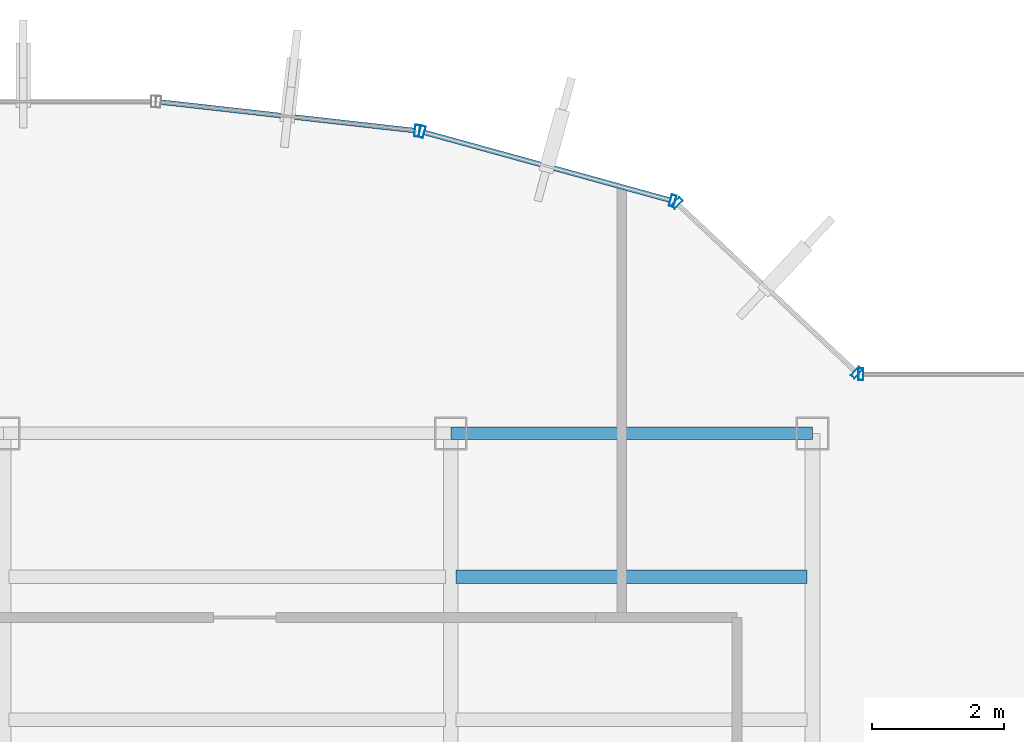
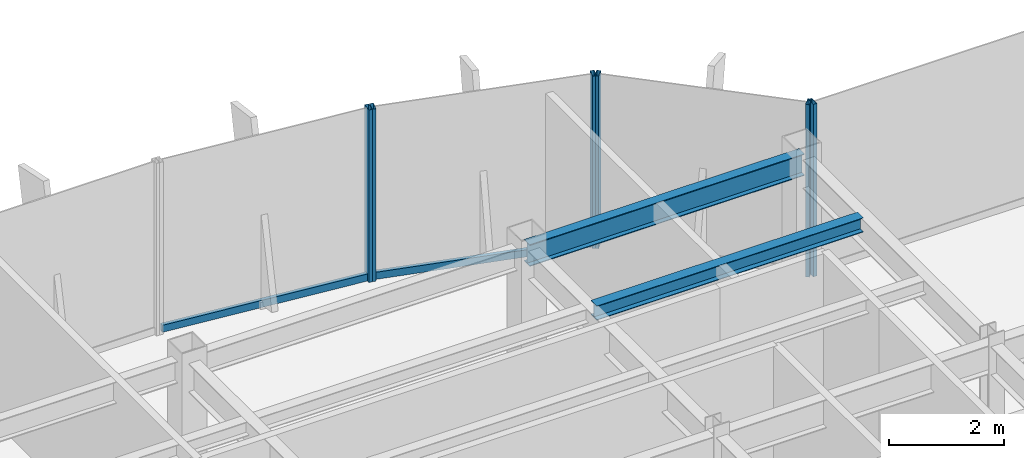
# One storey, part 14 of 22: 8 members, 2 beams, 4 elements without a shape of their own.
"""IFC4 building model written with IfcOpenShell, lengths in metres."""

from ifc_helpers import new_model, si_unit, derived_unit, direction, frame, origin, origin_2d, place, context, subcontext, project, spatial, hollow_rectangle, i_section, extrude, source, transform, mapped, material, material_profile, profile_set, type_object, element, aggregate, save


model = new_model("IFC4")

# Units and contexts
model_context = context("Model", 3, precision=1e-05, world=origin(), true_north=direction((0.0, 1.0)))
body_context = subcontext(model_context, "Body", "Model", "MODEL_VIEW")
ifc_project = project(units=[si_unit("LENGTHUNIT", "METRE"), si_unit("AREAUNIT", "SQUARE_METRE"), si_unit("VOLUMEUNIT", "CUBIC_METRE"), si_unit("PLANEANGLEUNIT", "RADIAN"), si_unit("MASSUNIT", "GRAM", prefix="KILO"), derived_unit("THERMALTRANSMITTANCEUNIT", [(si_unit("POWERUNIT", "WATT"), 1), (si_unit("LENGTHUNIT", "METRE"), -2), (si_unit("THERMODYNAMICTEMPERATUREUNIT", "KELVIN"), -1)])], contexts=[model_context])

# Site, building, storey
site_placement = place(None, origin())
site = spatial("IfcSite", under=ifc_project, at=site_placement, CompositionType="ELEMENT")
building_placement = place(site_placement, origin())
building = spatial("IfcBuilding", under=site, at=building_placement, Name="Skarnbrae Concourse Arena and Tower", CompositionType="ELEMENT")
storey_placement = place(building_placement, frame((0.0, 0.0, 247.85009765625)))
storey = spatial("IfcBuildingStorey", under=building, at=storey_placement, Name="L64", CompositionType="ELEMENT", Elevation=247.85009765625)

# Beams
ifc_material_1 = material(Name="Steel CSA G40.21 350W", Category="steel")
ifc_material_profile_1 = material_profile(ifc_material_1, i_section(OverallWidth=0.19091796875, OverallDepth=0.4599609375, WebThickness=0.010009765625, FlangeThickness=0.01611328125, at=origin_2d()), Name="W460X82")
ifc_profile_set_1 = profile_set([ifc_material_profile_1], Name="Steel CSA G40.21 350W")
beam_type_1 = type_object("IfcBeamType", Name="BM-SPAN-W460X82", PredefinedType="SPANDREL", material=ifc_profile_set_1)
shared_shape_1 = source(origin(), body_context, "Body", "SweptSolid", [
    extrude(i_section(OverallWidth=0.19091796875, OverallDepth=0.4599609375, WebThickness=0.010009765625, FlangeThickness=0.01611328125, at=origin_2d()), origin(), (0.0, 0.0, 1.0), 5.5),
])
beam_1_placement = place(storey_placement, frame((28.0, 34.39990234375, 3.169921875), z_axis=(1.0, 0.0, 0.0), x_axis=(0.0, 1.0, 0.0)))
element("IfcBeam", 1, at=beam_1_placement, inside=storey, type_object=beam_type_1, Name="L64 Perimeter spandrel Y34.4-4", PredefinedType="SPANDREL", context=body_context, shape_type="MappedRepresentation", body=[
    mapped(shared_shape_1, transform((0.0, 0.0, 0.0))),
])
ifc_material_profile_2 = material_profile(ifc_material_1, i_section(OverallWidth=0.202880859375, OverallDepth=0.302978515625, WebThickness=0.007568359375, FlangeThickness=0.01318359375, at=origin_2d()), Name="W310X60")
ifc_profile_set_2 = profile_set([ifc_material_profile_2], Name="Steel CSA G40.21 350W")
beam_type_2 = type_object("IfcBeamType", Name="BM-JOIST-W310X60", PredefinedType="JOIST", material=ifc_profile_set_2)
shared_shape_2 = source(origin(), body_context, "Body", "SweptSolid", [
    extrude(i_section(OverallWidth=0.202880859375, OverallDepth=0.302978515625, WebThickness=0.007568359375, FlangeThickness=0.01318359375, at=origin_2d()), origin(), (0.0, 0.0, 1.0), 5.33984375),
])
beam_2_placement = place(storey_placement, frame((28.080078125, 32.221923828125, 3.248291015625), z_axis=(1.0, 0.0, 0.0), x_axis=(0.0, 1.0, 0.0)))
element("IfcBeam", 2, at=beam_2_placement, inside=storey, type_object=beam_type_2, Name="L64 Secondary floor joist 3.2.4", PredefinedType="JOIST", context=body_context, shape_type="MappedRepresentation", body=[
    mapped(shared_shape_2, transform((0.0, 0.0, 0.0))),
])

# Curtain wall, member
ifc_material_2 = material(Name="Bronze anodised aluminium 6063-T6", Category="aluminium")
curtain_wall_type = type_object("IfcCurtainWallType", Name="CW-SYS-05-HIGHZONE", PredefinedType="USERDEFINED", material=ifc_material_2)
curtain_wall_1_placement = place(storey_placement, origin())
curtain_wall_1 = element("IfcCurtainWall", 3, at=curtain_wall_1_placement, inside=storey, type_object=curtain_wall_type, Name="L64 Unitised curtain wall CW-L64-E07", ObjectType="UNITISED CURTAIN WALL", PredefinedType="USERDEFINED")
ifc_material_profile_3 = material_profile(ifc_material_2, hollow_rectangle(XDim=0.074951171875, YDim=0.179931640625, WallThickness=0.00390625, at=origin_2d()), Name="ALU-MULL-75X180")
ifc_profile_set_3 = profile_set([ifc_material_profile_3], Name="Bronze anodised aluminium 6063-T6")
member_type_1 = type_object("IfcMemberType", Name="CWM-CW-05", PredefinedType="MULLION", material=ifc_profile_set_3)
shared_shape_3 = source(origin(), body_context, "Body", "SweptSolid", [
    extrude(hollow_rectangle(XDim=0.074951171875, YDim=0.179931640625, WallThickness=0.00390625, at=origin_2d()), origin(), (0.0, 0.0, 1.0), 3.64990234375),
])
member_1_placement = place(storey_placement, frame((34.237548828125, 35.300048828125, 0.0), z_axis=(0.0, 0.0, 1.0), x_axis=(-1.0, 0.0, 0.0)))
member_1 = element("IfcMember", 4, at=member_1_placement, type_object=member_type_1, Name="CW-L64-E07 Mullion 2", PredefinedType="MULLION", context=body_context, shape_type="MappedRepresentation", body=[
    mapped(shared_shape_3, transform((0.0, 0.0, 0.0))),
])
aggregate(curtain_wall_1, [member_1])

# Curtain wall, members
curtain_wall_2_placement = place(storey_placement, origin())
curtain_wall_2 = element("IfcCurtainWall", 5, at=curtain_wall_2_placement, inside=storey, type_object=curtain_wall_type, Name="L64 Unitised curtain wall CW-L64-E08", ObjectType="UNITISED CURTAIN WALL", PredefinedType="USERDEFINED")
member_2_placement = place(storey_placement, frame((34.172607421875, 35.32568359375, 0.0), z_axis=(0.0, 0.0, 1.0), x_axis=(-0.728130555214, 0.685438468838, 0.0)))
member_2 = element("IfcMember", 6, at=member_2_placement, type_object=member_type_1, Name="CW-L64-E08 Mullion 1", PredefinedType="MULLION", context=body_context, shape_type="MappedRepresentation", body=[
    mapped(shared_shape_3, transform((0.0, 0.0, 0.0))),
])
member_3_placement = place(storey_placement, frame((31.43701171875, 37.90087890625, 0.0), z_axis=(0.0, 0.0, 1.0), x_axis=(-0.728130555214, 0.685438468838, 0.0)))
member_3 = element("IfcMember", 7, at=member_3_placement, type_object=member_type_1, Name="CW-L64-E08 Mullion 2", PredefinedType="MULLION", context=body_context, shape_type="MappedRepresentation", body=[
    mapped(shared_shape_3, transform((0.0, 0.0, 0.0))),
])
aggregate(curtain_wall_2, [member_2, member_3])

curtain_wall_3_placement = place(storey_placement, origin())
curtain_wall_3 = element("IfcCurtainWall", 8, at=curtain_wall_3_placement, inside=storey, type_object=curtain_wall_type, Name="L64 Unitised curtain wall CW-L64-E09", ObjectType="UNITISED CURTAIN WALL", PredefinedType="USERDEFINED")
member_4_placement = place(storey_placement, frame((31.37353515625, 37.936767578125, 0.0), z_axis=(0.0, 0.0, 1.0), x_axis=(-0.964057388766, 0.265694093207, 0.0)))
member_4 = element("IfcMember", 9, at=member_4_placement, type_object=member_type_1, Name="CW-L64-E09 Mullion 1", PredefinedType="MULLION", context=body_context, shape_type="MappedRepresentation", body=[
    mapped(shared_shape_3, transform((0.0, 0.0, 0.0))),
])
member_5_placement = place(storey_placement, frame((27.56201171875, 38.987060546875, 0.0), z_axis=(0.0, 0.0, 1.0), x_axis=(-0.964057388766, 0.265694093207, 0.0)))
member_5 = element("IfcMember", 10, at=member_5_placement, type_object=member_type_1, Name="CW-L64-E09 Mullion 2", PredefinedType="MULLION", context=body_context, shape_type="MappedRepresentation", body=[
    mapped(shared_shape_3, transform((0.0, 0.0, 0.0))),
])

# Curtain wall, member
curtain_wall_4_placement = place(storey_placement, origin())
curtain_wall_4 = element("IfcCurtainWall", 11, at=curtain_wall_4_placement, inside=storey, type_object=curtain_wall_type, Name="L64 Unitised curtain wall CW-L64-E10", ObjectType="UNITISED CURTAIN WALL", PredefinedType="USERDEFINED")
member_6_placement = place(storey_placement, frame((27.488525390625, 39.001220703125, 0.0), z_axis=(0.0, 0.0, 1.0), x_axis=(-0.993768891873, 0.111460259941, 0.0)))
member_6 = element("IfcMember", 12, at=member_6_placement, type_object=member_type_1, Name="CW-L64-E10 Mullion 1", PredefinedType="MULLION", context=body_context, shape_type="MappedRepresentation", body=[
    mapped(shared_shape_3, transform((0.0, 0.0, 0.0))),
])

# Member
ifc_material_profile_4 = material_profile(ifc_material_2, hollow_rectangle(XDim=0.074951171875, YDim=0.14990234375, WallThickness=0.00390625, at=origin_2d()), Name="ALU-TRAN-75X150")
ifc_profile_set_4 = profile_set([ifc_material_profile_4], Name="Bronze anodised aluminium 6063-T6")
member_type_2 = type_object("IfcMemberType", Name="CWT-CW-05", PredefinedType="USERDEFINED", material=ifc_profile_set_4)
shared_shape_4 = source(origin(), body_context, "Body", "SweptSolid", [
    extrude(hollow_rectangle(XDim=0.074951171875, YDim=0.14990234375, WallThickness=0.00390625, at=origin_2d()), origin(), (0.0, 0.0, 1.0), 3.878662109375),
])
member_7_placement = place(storey_placement, frame((31.33740234375, 37.946533203125, 0.074951171875), z_axis=(-0.964042677713, 0.265747465742, 0.0), x_axis=(-0.265747465742, -0.964042677713, 0.0)))
member_7 = element("IfcMember", 13, at=member_7_placement, type_object=member_type_2, Name="CW-L64-E09 Transom 1", ObjectType="TRANSOM", PredefinedType="USERDEFINED", context=body_context, shape_type="MappedRepresentation", body=[
    mapped(shared_shape_4, transform((0.0, 0.0, 0.0))),
])

aggregate(curtain_wall_3, [member_4, member_5, member_7])

shared_shape_5 = source(origin(), body_context, "Body", "SweptSolid", [
    extrude(hollow_rectangle(XDim=0.074951171875, YDim=0.14990234375, WallThickness=0.00390625, at=origin_2d()), origin(), (0.0, 0.0, 1.0), 3.8837890625),
])
member_8_placement = place(storey_placement, frame((27.451416015625, 39.005615234375, 0.074951171875), z_axis=(-0.993776714154, 0.111390495128, 0.0), x_axis=(-0.111390495128, -0.993776714154, 0.0)))
member_8 = element("IfcMember", 14, at=member_8_placement, type_object=member_type_2, Name="CW-L64-E10 Transom 1", ObjectType="TRANSOM", PredefinedType="USERDEFINED", context=body_context, shape_type="MappedRepresentation", body=[
    mapped(shared_shape_5, transform((0.0, 0.0, 0.0))),
])

aggregate(curtain_wall_4, [member_6, member_8])

save(model, "model.ifc")
